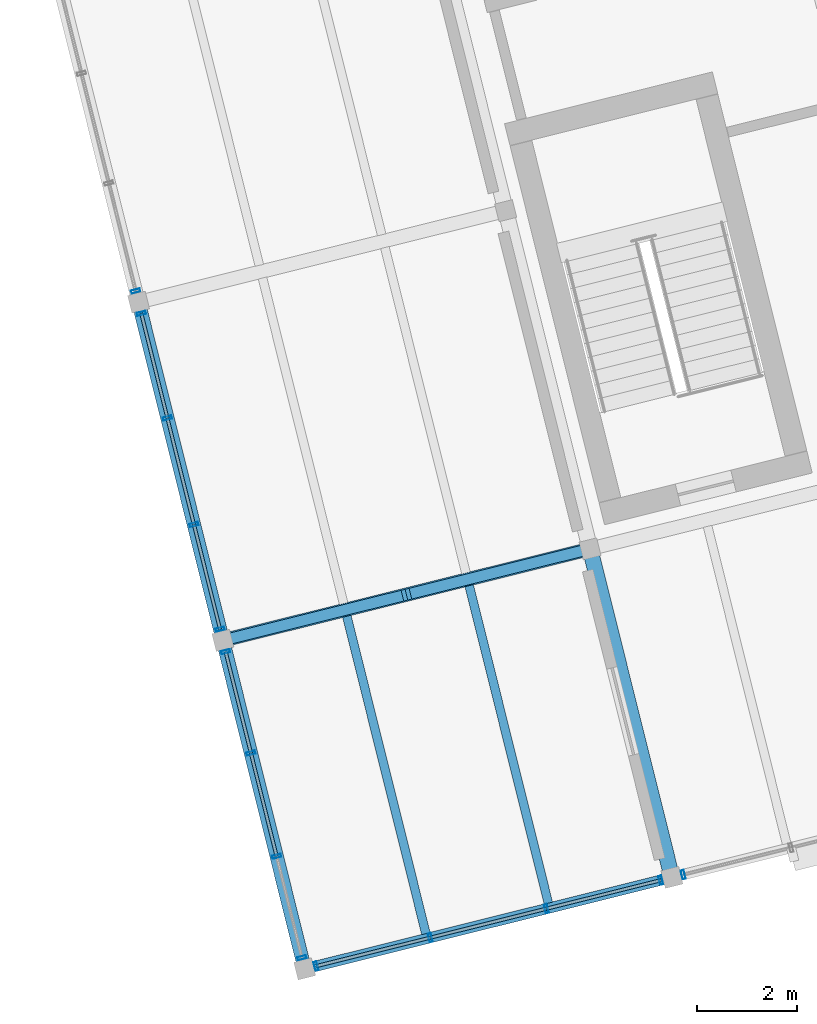
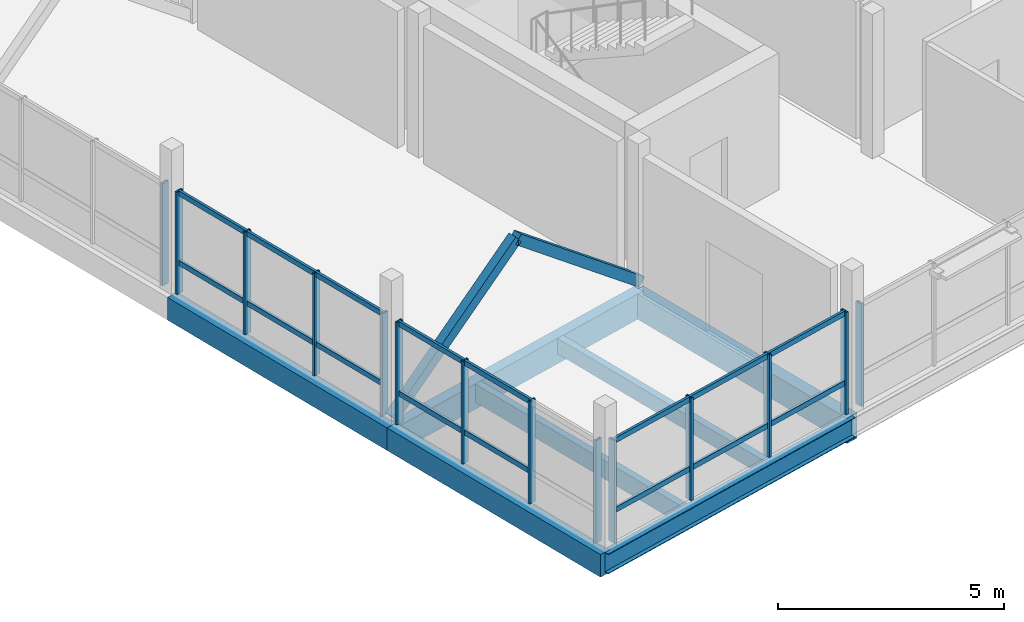
# One storey, part 2 of 26: 32 members, 7 beams, 5 elements without a shape of their own.
"""IFC4 building model written with IfcOpenShell, lengths in metres."""

from ifc_helpers import new_model, si_unit, direction, frame, origin, origin_2d, place, context, subcontext, project, spatial, rectangle, hollow_rectangle, i_section, extrude, material, layer, layer_set, material_profile, profile_set, type_object, element, aggregate, save


model = new_model("IFC4")

# Units and contexts
model_context = context("Model", 3, precision=1e-05, world=origin(), true_north=direction((0.0, 1.0)))
body_context = subcontext(model_context, "Body", "Model", "MODEL_VIEW")
ifc_project = project(units=[si_unit("LENGTHUNIT", "METRE"), si_unit("AREAUNIT", "SQUARE_METRE"), si_unit("VOLUMEUNIT", "CUBIC_METRE"), si_unit("PLANEANGLEUNIT", "RADIAN"), si_unit("MASSUNIT", "GRAM", prefix="KILO")], contexts=[model_context])

# Site, building, storey
site_placement = place(None, origin())
site = spatial("IfcSite", under=ifc_project, at=site_placement, CompositionType="ELEMENT")
building_placement = place(site_placement, origin())
building = spatial("IfcBuilding", under=site, at=building_placement, Name="Meriwether Solvik Hall", CompositionType="ELEMENT")
storey_placement = place(building_placement, frame((0.0, 0.0, 41.699951171875)))
storey = spatial("IfcBuildingStorey", under=building, at=storey_placement, Name="L10", CompositionType="ELEMENT", Elevation=41.699951171875)

# Beams
ifc_material_1 = material(Name="Glulam Douglas-Fir 24F-V8 GL28h", Category="wood")
ifc_material_profile_1 = material_profile(ifc_material_1, rectangle(XDim=0.27294921875, YDim=0.610107421875, at=origin_2d()), Name="GLB-273X610")
ifc_profile_set_1 = profile_set([ifc_material_profile_1], Name="Glulam Douglas-Fir 24F-V8 GL28h")
beam_type_1 = type_object("IfcBeamType", Name="BM-GL-273X610", PredefinedType="SPANDREL", material=ifc_profile_set_1)
beam_1_placement = place(storey_placement, frame((68.60009765625, 41.199951171875, -0.48486328125), z_axis=(-0.241944251278, 0.970290152106, 0.0), x_axis=(-0.970290152106, -0.241944251278, 0.0)))
element("IfcBeam", 1, at=beam_1_placement, inside=storey, type_object=beam_type_1, Name="Tower Girder T1:TA-TB (L10)", PredefinedType="SPANDREL", context=body_context, shape_type="SweptSolid", body=[
    extrude(rectangle(XDim=0.27294921875, YDim=0.610107421875, at=origin_2d()), origin(), (0.0, 0.0, 1.0), 6.80029296875),
])
beam_2_placement = place(storey_placement, frame((66.954833984375, 47.798095703125, -0.48486328125), z_axis=(-0.241911879182, 0.970298223594, 0.0), x_axis=(-0.970298223594, -0.241911879182, 0.0)))
element("IfcBeam", 2, at=beam_2_placement, inside=storey, type_object=beam_type_1, Name="Tower Girder T1:TB-TC (L10)", PredefinedType="SPANDREL", context=body_context, shape_type="SweptSolid", body=[
    extrude(rectangle(XDim=0.27294921875, YDim=0.610107421875, at=origin_2d()), origin(), (0.0, 0.0, 1.0), 7.0),
])
ifc_material_2 = material(Name="Glulam Douglas-Fir 24F-V8 GL28h", Category="wood")
ifc_material_profile_2 = material_profile(ifc_material_2, rectangle(XDim=0.27294921875, YDim=0.68505859375, at=origin_2d()), Name="GLB-273X685")
ifc_profile_set_2 = profile_set([ifc_material_profile_2], Name="Glulam Douglas-Fir 24F-V8 GL28h")
beam_type_2 = type_object("IfcBeamType", Name="BM-GL-273X685", PredefinedType="BEAM", material=ifc_profile_set_2)
beam_3_placement = place(storey_placement, frame((66.954833984375, 47.798095703125, -0.5224609375), z_axis=(0.970295366785, 0.241923337436, 0.0), x_axis=(-0.241923337436, 0.970295366785, 0.0)))
element("IfcBeam", 3, at=beam_3_placement, inside=storey, type_object=beam_type_2, Name="Tower Girder TB:T1-T2 (L10)", PredefinedType="BEAM", context=body_context, shape_type="SweptSolid", body=[
    extrude(rectangle(XDim=0.27294921875, YDim=0.68505859375, at=origin_2d()), origin(), (0.0, 0.0, 1.0), 7.60009765625),
])
ifc_material_3 = material(Name="Glulam Douglas-Fir 24F-V8 GL28h", Category="wood")
ifc_material_profile_3 = material_profile(ifc_material_3, rectangle(XDim=0.31494140625, YDim=0.68505859375, at=origin_2d()), Name="GLB-315X685")
ifc_profile_set_3 = profile_set([ifc_material_profile_3], Name="Glulam Douglas-Fir 24F-V8 GL28h")
beam_type_3 = type_object("IfcBeamType", Name="BM-GL-315X685", PredefinedType="BEAM", material=ifc_profile_set_3)
beam_4_placement = place(storey_placement, frame((75.974365234375, 43.03857421875, -0.5224609375), z_axis=(-0.241944251278, 0.970290152106, 0.0), x_axis=(-0.970290152106, -0.241944251278, 0.0)))
element("IfcBeam", 4, at=beam_4_placement, inside=storey, type_object=beam_type_3, Name="Tower Girder T2:TA-TB (L10)", PredefinedType="BEAM", context=body_context, shape_type="SweptSolid", body=[
    extrude(rectangle(XDim=0.31494140625, YDim=0.68505859375, at=origin_2d()), origin(), (0.0, 0.0, 1.0), 6.80029296875),
])
ifc_material_4 = material(Name="Steel A992 Grade 50", Category="steel")
ifc_material_profile_4 = material_profile(ifc_material_4, i_section(OverallWidth=0.2099609375, OverallDepth=0.537109375, WebThickness=0.010986328125, FlangeThickness=0.017333984375, at=origin_2d()), Name="W21X68")
ifc_profile_set_4 = profile_set([ifc_material_profile_4], Name="Steel A992 Grade 50")
beam_type_4 = type_object("IfcBeamType", Name="BM-STL-W21X68", PredefinedType="SPANDREL", material=ifc_profile_set_4)
beam_5_placement = place(storey_placement, frame((68.60009765625, 41.199951171875, -0.448486328125), z_axis=(0.970295366785, 0.241923337436, 0.0), x_axis=(-0.241923337436, 0.970295366785, 0.0)))
element("IfcBeam", 5, at=beam_5_placement, inside=storey, type_object=beam_type_4, Name="Tower Girder TA:T1-T2 (L10)", PredefinedType="SPANDREL", context=body_context, shape_type="SweptSolid", body=[
    extrude(i_section(OverallWidth=0.2099609375, OverallDepth=0.537109375, WebThickness=0.010986328125, FlangeThickness=0.017333984375, at=origin_2d()), origin(), (0.0, 0.0, 1.0), 7.60009765625),
])

# Curtain wall, members
ifc_material_5 = material(Name="Thermally Broken Anodised Aluminium 6063-T6 and Low-E Glass", Category="aluminium")
ifc_layer_1 = layer(ifc_material_5, 0.179931640625)
ifc_layer_set_1 = layer_set([ifc_layer_1], Name="Thermally Broken Anodised Aluminium 6063-T6 and Low-E Glass")
curtain_wall_type_1 = type_object("IfcCurtainWallType", Name="CW-UNIT-A", PredefinedType="USERDEFINED", material=ifc_layer_set_1)
curtain_wall_1_placement = place(storey_placement, origin())
curtain_wall_1 = element("IfcCurtainWall", 6, at=curtain_wall_1_placement, inside=storey, type_object=curtain_wall_type_1, Name="Curtain Wall E0_B0 (L10)", ObjectType="UNITISED CURTAIN WALL", PredefinedType="USERDEFINED")
ifc_material_6 = material(Name="Anodised Aluminium 6063-T6", Category="aluminium")
ifc_material_profile_5 = material_profile(ifc_material_6, hollow_rectangle(XDim=0.06494140625, YDim=0.179931640625, WallThickness=0.00439453125, at=origin_2d()), Name="CWM-65X180")
ifc_profile_set_5 = profile_set([ifc_material_profile_5], Name="Anodised Aluminium 6063-T6")
member_type_1 = type_object("IfcMemberType", Name="CW-MUL-65X180", PredefinedType="MULLION", material=ifc_profile_set_5)
member_1_placement = place(storey_placement, frame((75.74853515625, 42.982421875, 0.0), z_axis=(0.0, 0.0, 1.0), x_axis=(-0.970295715501, -0.241921938817, 0.0)))
member_1 = element("IfcMember", 7, at=member_1_placement, type_object=member_type_1, Name="Curtain Wall Mullion 1", PredefinedType="MULLION", context=body_context, shape_type="SweptSolid", body=[
    extrude(hollow_rectangle(XDim=0.06494140625, YDim=0.179931640625, WallThickness=0.00439453125, at=origin_2d()), origin(), (0.0, 0.0, 1.0), 2.77001953125),
])
member_2_placement = place(storey_placement, frame((73.453369140625, 42.41015625, 0.0), z_axis=(0.0, 0.0, 1.0), x_axis=(-0.970295715501, -0.241921938817, 0.0)))
member_2 = element("IfcMember", 8, at=member_2_placement, type_object=member_type_1, Name="Curtain Wall Mullion 2", PredefinedType="MULLION", context=body_context, shape_type="SweptSolid", body=[
    extrude(hollow_rectangle(XDim=0.06494140625, YDim=0.179931640625, WallThickness=0.00439453125, at=origin_2d()), origin(), (0.0, 0.0, 1.0), 2.77001953125),
])
member_3_placement = place(storey_placement, frame((71.12109375, 41.82861328125, 0.0), z_axis=(0.0, 0.0, 1.0), x_axis=(-0.970295715501, -0.241921938817, 0.0)))
member_3 = element("IfcMember", 9, at=member_3_placement, type_object=member_type_1, Name="Curtain Wall Mullion 3", PredefinedType="MULLION", context=body_context, shape_type="SweptSolid", body=[
    extrude(hollow_rectangle(XDim=0.06494140625, YDim=0.179931640625, WallThickness=0.00439453125, at=origin_2d()), origin(), (0.0, 0.0, 1.0), 2.77001953125),
])
member_4_placement = place(storey_placement, frame((68.82568359375, 41.25634765625, 0.0), z_axis=(0.0, 0.0, 1.0), x_axis=(-0.970295715501, -0.241921938817, 0.0)))
member_4 = element("IfcMember", 10, at=member_4_placement, type_object=member_type_1, Name="Curtain Wall Mullion 4", PredefinedType="MULLION", context=body_context, shape_type="SweptSolid", body=[
    extrude(hollow_rectangle(XDim=0.06494140625, YDim=0.179931640625, WallThickness=0.00439453125, at=origin_2d()), origin(), (0.0, 0.0, 1.0), 2.77001953125),
])

# Curtain wall, member
ifc_material_7 = material(Name="Thermally Broken Anodised Aluminium 6063-T6 and Low-E Glass", Category="aluminium")
ifc_layer_2 = layer(ifc_material_7, 0.179931640625)
ifc_layer_set_2 = layer_set([ifc_layer_2], Name="Thermally Broken Anodised Aluminium 6063-T6 and Low-E Glass")
curtain_wall_type_2 = type_object("IfcCurtainWallType", Name="CW-UNIT-B", PredefinedType="USERDEFINED", material=ifc_layer_set_2)
curtain_wall_2_placement = place(storey_placement, origin())
curtain_wall_2 = element("IfcCurtainWall", 11, at=curtain_wall_2_placement, inside=storey, type_object=curtain_wall_type_2, Name="Curtain Wall E0_B1 (L10)", ObjectType="UNITISED CURTAIN WALL", PredefinedType="USERDEFINED")
member_5_placement = place(storey_placement, frame((76.199951171875, 43.094970703125, 0.0), z_axis=(0.0, 0.0, 1.0), x_axis=(-0.970295725693, -0.241921897937, 0.0)))
member_5 = element("IfcMember", 12, at=member_5_placement, type_object=member_type_1, Name="Curtain Wall Mullion 4", PredefinedType="MULLION", context=body_context, shape_type="SweptSolid", body=[
    extrude(hollow_rectangle(XDim=0.06494140625, YDim=0.179931640625, WallThickness=0.00439453125, at=origin_2d()), origin(), (0.0, 0.0, 1.0), 2.77001953125),
])
aggregate(curtain_wall_2, [member_5])

# Curtain wall, members
curtain_wall_3_placement = place(storey_placement, origin())
curtain_wall_3 = element("IfcCurtainWall", 13, at=curtain_wall_3_placement, inside=storey, type_object=curtain_wall_type_1, Name="Curtain Wall E7_B0 (L10)", ObjectType="UNITISED CURTAIN WALL", PredefinedType="USERDEFINED")
member_6_placement = place(storey_placement, frame((68.543701171875, 41.425537109375, 0.0), z_axis=(0.0, 0.0, 1.0), x_axis=(-0.241921888555, 0.970295728032, 0.0)))
member_6 = element("IfcMember", 14, at=member_6_placement, type_object=member_type_1, Name="Curtain Wall Mullion 1", PredefinedType="MULLION", context=body_context, shape_type="SweptSolid", body=[
    extrude(hollow_rectangle(XDim=0.06494140625, YDim=0.179931640625, WallThickness=0.00439453125, at=origin_2d()), origin(), (0.0, 0.0, 1.0), 2.77001953125),
])
member_7_placement = place(storey_placement, frame((68.035888671875, 43.462158203125, 0.0), z_axis=(0.0, 0.0, 1.0), x_axis=(-0.241921888555, 0.970295728032, 0.0)))
member_7 = element("IfcMember", 15, at=member_7_placement, type_object=member_type_1, Name="Curtain Wall Mullion 2", PredefinedType="MULLION", context=body_context, shape_type="SweptSolid", body=[
    extrude(hollow_rectangle(XDim=0.06494140625, YDim=0.179931640625, WallThickness=0.00439453125, at=origin_2d()), origin(), (0.0, 0.0, 1.0), 2.77001953125),
])
member_8_placement = place(storey_placement, frame((67.51904296875, 45.535888671875, 0.0), z_axis=(0.0, 0.0, 1.0), x_axis=(-0.241921888555, 0.970295728032, 0.0)))
member_8 = element("IfcMember", 16, at=member_8_placement, type_object=member_type_1, Name="Curtain Wall Mullion 3", PredefinedType="MULLION", context=body_context, shape_type="SweptSolid", body=[
    extrude(hollow_rectangle(XDim=0.06494140625, YDim=0.179931640625, WallThickness=0.00439453125, at=origin_2d()), origin(), (0.0, 0.0, 1.0), 2.77001953125),
])
member_9_placement = place(storey_placement, frame((67.01123046875, 47.572509765625, 0.0), z_axis=(0.0, 0.0, 1.0), x_axis=(-0.241921888555, 0.970295728032, 0.0)))
member_9 = element("IfcMember", 17, at=member_9_placement, type_object=member_type_1, Name="Curtain Wall Mullion 4", PredefinedType="MULLION", context=body_context, shape_type="SweptSolid", body=[
    extrude(hollow_rectangle(XDim=0.06494140625, YDim=0.179931640625, WallThickness=0.00439453125, at=origin_2d()), origin(), (0.0, 0.0, 1.0), 2.77001953125),
])

curtain_wall_4_placement = place(storey_placement, origin())
curtain_wall_4 = element("IfcCurtainWall", 18, at=curtain_wall_4_placement, inside=storey, type_object=curtain_wall_type_2, Name="Curtain Wall E7_B1 (L10)", ObjectType="UNITISED CURTAIN WALL", PredefinedType="USERDEFINED")
member_10_placement = place(storey_placement, frame((66.898681640625, 48.023681640625, 0.0), z_axis=(0.0, 0.0, 1.0), x_axis=(-0.24192176891, 0.970295757863, 0.0)))
member_10 = element("IfcMember", 19, at=member_10_placement, type_object=member_type_1, Name="Curtain Wall Mullion 1", PredefinedType="MULLION", context=body_context, shape_type="SweptSolid", body=[
    extrude(hollow_rectangle(XDim=0.06494140625, YDim=0.179931640625, WallThickness=0.00439453125, at=origin_2d()), origin(), (0.0, 0.0, 1.0), 2.77001953125),
])
member_11_placement = place(storey_placement, frame((66.374755859375, 50.125, 0.0), z_axis=(0.0, 0.0, 1.0), x_axis=(-0.24192176891, 0.970295757863, 0.0)))
member_11 = element("IfcMember", 20, at=member_11_placement, type_object=member_type_1, Name="Curtain Wall Mullion 2", PredefinedType="MULLION", context=body_context, shape_type="SweptSolid", body=[
    extrude(hollow_rectangle(XDim=0.06494140625, YDim=0.179931640625, WallThickness=0.00439453125, at=origin_2d()), origin(), (0.0, 0.0, 1.0), 2.77001953125),
])
member_12_placement = place(storey_placement, frame((65.841552734375, 52.26318359375, 0.0), z_axis=(0.0, 0.0, 1.0), x_axis=(-0.24192176891, 0.970295757863, 0.0)))
member_12 = element("IfcMember", 21, at=member_12_placement, type_object=member_type_1, Name="Curtain Wall Mullion 3", PredefinedType="MULLION", context=body_context, shape_type="SweptSolid", body=[
    extrude(hollow_rectangle(XDim=0.06494140625, YDim=0.179931640625, WallThickness=0.00439453125, at=origin_2d()), origin(), (0.0, 0.0, 1.0), 2.77001953125),
])
member_13_placement = place(storey_placement, frame((65.317626953125, 54.364501953125, 0.0), z_axis=(0.0, 0.0, 1.0), x_axis=(-0.24192176891, 0.970295757863, 0.0)))
member_13 = element("IfcMember", 22, at=member_13_placement, type_object=member_type_1, Name="Curtain Wall Mullion 4", PredefinedType="MULLION", context=body_context, shape_type="SweptSolid", body=[
    extrude(hollow_rectangle(XDim=0.06494140625, YDim=0.179931640625, WallThickness=0.00439453125, at=origin_2d()), origin(), (0.0, 0.0, 1.0), 2.77001953125),
])

# Curtain wall, member
ifc_material_8 = material(Name="Thermally Broken Anodised Aluminium 6063-T6 and Low-E Glass", Category="aluminium")
ifc_layer_3 = layer(ifc_material_8, 0.179931640625)
ifc_layer_set_3 = layer_set([ifc_layer_3], Name="Thermally Broken Anodised Aluminium 6063-T6 and Low-E Glass")
curtain_wall_type_3 = type_object("IfcCurtainWallType", Name="CW-UNIT-C", PredefinedType="USERDEFINED", material=ifc_layer_set_3)
curtain_wall_5_placement = place(storey_placement, origin())
curtain_wall_5 = element("IfcCurtainWall", 23, at=curtain_wall_5_placement, inside=storey, type_object=curtain_wall_type_3, Name="Curtain Wall E7_B2 (L10)", ObjectType="UNITISED CURTAIN WALL", PredefinedType="USERDEFINED")
member_14_placement = place(storey_placement, frame((65.205322265625, 54.815673828125, 0.0), z_axis=(0.0, 0.0, 1.0), x_axis=(-0.241921897937, 0.970295725693, 0.0)))
member_14 = element("IfcMember", 24, at=member_14_placement, type_object=member_type_1, Name="Curtain Wall Mullion 1", PredefinedType="MULLION", context=body_context, shape_type="SweptSolid", body=[
    extrude(hollow_rectangle(XDim=0.06494140625, YDim=0.179931640625, WallThickness=0.00439453125, at=origin_2d()), origin(), (0.0, 0.0, 1.0), 2.77001953125),
])
aggregate(curtain_wall_5, [member_14])

# Member
ifc_material_9 = material(Name="Anodised Aluminium 6063-T6", Category="aluminium")
ifc_material_profile_6 = material_profile(ifc_material_9, hollow_rectangle(XDim=0.06494140625, YDim=0.139892578125, WallThickness=0.00439453125, at=origin_2d()), Name="CWT-65X140")
ifc_profile_set_6 = profile_set([ifc_material_profile_6], Name="Anodised Aluminium 6063-T6")
member_type_2 = type_object("IfcMemberType", Name="CW-TRN-65X140", PredefinedType="USERDEFINED", material=ifc_profile_set_6)
member_15_placement = place(storey_placement, frame((75.74853515625, 42.982421875, 0.8310546875), z_axis=(-0.970294092223, -0.241928449332, 0.0), x_axis=(0.241928449332, -0.970294092223, 0.0)))
member_15 = element("IfcMember", 25, at=member_15_placement, type_object=member_type_2, Name="Curtain Wall Transom 1-sill", ObjectType="TRANSOM", PredefinedType="USERDEFINED", context=body_context, shape_type="SweptSolid", body=[
    extrude(hollow_rectangle(XDim=0.06494140625, YDim=0.139892578125, WallThickness=0.00439453125, at=origin_2d()), origin(), (0.0, 0.0, 1.0), 2.365478515625),
])

member_16_placement = place(storey_placement, frame((75.74853515625, 42.982421875, 2.7099609375), z_axis=(-0.970294092223, -0.241928449332, 0.0), x_axis=(0.241928449332, -0.970294092223, 0.0)))
member_16 = element("IfcMember", 26, at=member_16_placement, type_object=member_type_2, Name="Curtain Wall Transom 1-head", ObjectType="TRANSOM", PredefinedType="USERDEFINED", context=body_context, shape_type="SweptSolid", body=[
    extrude(hollow_rectangle(XDim=0.06494140625, YDim=0.139892578125, WallThickness=0.00439453125, at=origin_2d()), origin(), (0.0, 0.0, 1.0), 2.365478515625),
])

member_17_placement = place(storey_placement, frame((73.453369140625, 42.41015625, 0.8310546875), z_axis=(-0.970291682811, -0.241938112473, 0.0), x_axis=(0.241938112473, -0.970291682811, 0.0)))
member_17 = element("IfcMember", 27, at=member_17_placement, type_object=member_type_2, Name="Curtain Wall Transom 2-sill", ObjectType="TRANSOM", PredefinedType="USERDEFINED", context=body_context, shape_type="SweptSolid", body=[
    extrude(hollow_rectangle(XDim=0.06494140625, YDim=0.139892578125, WallThickness=0.00439453125, at=origin_2d()), origin(), (0.0, 0.0, 1.0), 2.403564453125),
])

member_18_placement = place(storey_placement, frame((73.453369140625, 42.41015625, 2.7099609375), z_axis=(-0.970291682811, -0.241938112473, 0.0), x_axis=(0.241938112473, -0.970291682811, 0.0)))
member_18 = element("IfcMember", 28, at=member_18_placement, type_object=member_type_2, Name="Curtain Wall Transom 2-head", ObjectType="TRANSOM", PredefinedType="USERDEFINED", context=body_context, shape_type="SweptSolid", body=[
    extrude(hollow_rectangle(XDim=0.06494140625, YDim=0.139892578125, WallThickness=0.00439453125, at=origin_2d()), origin(), (0.0, 0.0, 1.0), 2.403564453125),
])

member_19_placement = place(storey_placement, frame((71.12109375, 41.82861328125, 0.8310546875), z_axis=(-0.970300132238, -0.241904223566, 0.0), x_axis=(0.241904223566, -0.970300132238, 0.0)))
member_19 = element("IfcMember", 29, at=member_19_placement, type_object=member_type_2, Name="Curtain Wall Transom 3-sill", ObjectType="TRANSOM", PredefinedType="USERDEFINED", context=body_context, shape_type="SweptSolid", body=[
    extrude(hollow_rectangle(XDim=0.06494140625, YDim=0.139892578125, WallThickness=0.00439453125, at=origin_2d()), origin(), (0.0, 0.0, 1.0), 2.36572265625),
])

member_20_placement = place(storey_placement, frame((71.12109375, 41.82861328125, 2.7099609375), z_axis=(-0.970300132238, -0.241904223566, 0.0), x_axis=(0.241904223566, -0.970300132238, 0.0)))
member_20 = element("IfcMember", 30, at=member_20_placement, type_object=member_type_2, Name="Curtain Wall Transom 3-head", ObjectType="TRANSOM", PredefinedType="USERDEFINED", context=body_context, shape_type="SweptSolid", body=[
    extrude(hollow_rectangle(XDim=0.06494140625, YDim=0.139892578125, WallThickness=0.00439453125, at=origin_2d()), origin(), (0.0, 0.0, 1.0), 2.36572265625),
])

aggregate(curtain_wall_1, [member_1, member_2, member_3, member_4, member_15, member_16, member_17, member_18, member_19, member_20])

member_21_placement = place(storey_placement, frame((68.035888671875, 43.462158203125, 0.8310546875), z_axis=(-0.241836709188, 0.970316961662, 0.0), x_axis=(-0.970316961662, -0.241836709188, 0.0)))
member_21 = element("IfcMember", 31, at=member_21_placement, type_object=member_type_2, Name="Curtain Wall Transom 2-sill", ObjectType="TRANSOM", PredefinedType="USERDEFINED", context=body_context, shape_type="SweptSolid", body=[
    extrude(hollow_rectangle(XDim=0.06494140625, YDim=0.139892578125, WallThickness=0.00439453125, at=origin_2d()), origin(), (0.0, 0.0, 1.0), 2.13720703125),
])

member_22_placement = place(storey_placement, frame((68.035888671875, 43.462158203125, 2.7099609375), z_axis=(-0.241836709188, 0.970316961662, 0.0), x_axis=(-0.970316961662, -0.241836709188, 0.0)))
member_22 = element("IfcMember", 32, at=member_22_placement, type_object=member_type_2, Name="Curtain Wall Transom 2-head", ObjectType="TRANSOM", PredefinedType="USERDEFINED", context=body_context, shape_type="SweptSolid", body=[
    extrude(hollow_rectangle(XDim=0.06494140625, YDim=0.139892578125, WallThickness=0.00439453125, at=origin_2d()), origin(), (0.0, 0.0, 1.0), 2.13720703125),
])

member_23_placement = place(storey_placement, frame((67.51904296875, 45.535888671875, 0.8310546875), z_axis=(-0.241933481427, 0.970292837531, 0.0), x_axis=(-0.970292837531, -0.241933481427, 0.0)))
member_23 = element("IfcMember", 33, at=member_23_placement, type_object=member_type_2, Name="Curtain Wall Transom 3-sill", ObjectType="TRANSOM", PredefinedType="USERDEFINED", context=body_context, shape_type="SweptSolid", body=[
    extrude(hollow_rectangle(XDim=0.06494140625, YDim=0.139892578125, WallThickness=0.00439453125, at=origin_2d()), origin(), (0.0, 0.0, 1.0), 2.098876953125),
])

member_24_placement = place(storey_placement, frame((67.51904296875, 45.535888671875, 2.7099609375), z_axis=(-0.241933481427, 0.970292837531, 0.0), x_axis=(-0.970292837531, -0.241933481427, 0.0)))
member_24 = element("IfcMember", 34, at=member_24_placement, type_object=member_type_2, Name="Curtain Wall Transom 3-head", ObjectType="TRANSOM", PredefinedType="USERDEFINED", context=body_context, shape_type="SweptSolid", body=[
    extrude(hollow_rectangle(XDim=0.06494140625, YDim=0.139892578125, WallThickness=0.00439453125, at=origin_2d()), origin(), (0.0, 0.0, 1.0), 2.098876953125),
])

aggregate(curtain_wall_3, [member_6, member_7, member_8, member_9, member_21, member_22, member_23, member_24])

member_25_placement = place(storey_placement, frame((66.898681640625, 48.023681640625, 0.8310546875), z_axis=(-0.241925491414, 0.970294829732, 0.0), x_axis=(-0.970294829732, -0.241925491414, 0.0)))
member_25 = element("IfcMember", 35, at=member_25_placement, type_object=member_type_2, Name="Curtain Wall Transom 1-sill", ObjectType="TRANSOM", PredefinedType="USERDEFINED", context=body_context, shape_type="SweptSolid", body=[
    extrude(hollow_rectangle(XDim=0.06494140625, YDim=0.139892578125, WallThickness=0.00439453125, at=origin_2d()), origin(), (0.0, 0.0, 1.0), 2.16552734375),
])

member_26_placement = place(storey_placement, frame((66.898681640625, 48.023681640625, 2.7099609375), z_axis=(-0.241925491414, 0.970294829732, 0.0), x_axis=(-0.970294829732, -0.241925491414, 0.0)))
member_26 = element("IfcMember", 36, at=member_26_placement, type_object=member_type_2, Name="Curtain Wall Transom 1-head", ObjectType="TRANSOM", PredefinedType="USERDEFINED", context=body_context, shape_type="SweptSolid", body=[
    extrude(hollow_rectangle(XDim=0.06494140625, YDim=0.139892578125, WallThickness=0.00439453125, at=origin_2d()), origin(), (0.0, 0.0, 1.0), 2.16552734375),
])

member_27_placement = place(storey_placement, frame((66.374755859375, 50.125, 0.8310546875), z_axis=(-0.241962089235, 0.970285703993, 0.0), x_axis=(-0.970285703993, -0.241962089235, 0.0)))
member_27 = element("IfcMember", 37, at=member_27_placement, type_object=member_type_2, Name="Curtain Wall Transom 2-sill", ObjectType="TRANSOM", PredefinedType="USERDEFINED", context=body_context, shape_type="SweptSolid", body=[
    extrude(hollow_rectangle(XDim=0.06494140625, YDim=0.139892578125, WallThickness=0.00439453125, at=origin_2d()), origin(), (0.0, 0.0, 1.0), 2.20361328125),
])

member_28_placement = place(storey_placement, frame((66.374755859375, 50.125, 2.7099609375), z_axis=(-0.241962089235, 0.970285703993, 0.0), x_axis=(-0.970285703993, -0.241962089235, 0.0)))
member_28 = element("IfcMember", 38, at=member_28_placement, type_object=member_type_2, Name="Curtain Wall Transom 2-head", ObjectType="TRANSOM", PredefinedType="USERDEFINED", context=body_context, shape_type="SweptSolid", body=[
    extrude(hollow_rectangle(XDim=0.06494140625, YDim=0.139892578125, WallThickness=0.00439453125, at=origin_2d()), origin(), (0.0, 0.0, 1.0), 2.20361328125),
])

member_29_placement = place(storey_placement, frame((65.841552734375, 52.26318359375, 0.8310546875), z_axis=(-0.241925491414, 0.970294829732, 0.0), x_axis=(-0.970294829732, -0.241925491414, 0.0)))
member_29 = element("IfcMember", 39, at=member_29_placement, type_object=member_type_2, Name="Curtain Wall Transom 3-sill", ObjectType="TRANSOM", PredefinedType="USERDEFINED", context=body_context, shape_type="SweptSolid", body=[
    extrude(hollow_rectangle(XDim=0.06494140625, YDim=0.139892578125, WallThickness=0.00439453125, at=origin_2d()), origin(), (0.0, 0.0, 1.0), 2.16552734375),
])

member_30_placement = place(storey_placement, frame((65.841552734375, 52.26318359375, 2.7099609375), z_axis=(-0.241925491414, 0.970294829732, 0.0), x_axis=(-0.970294829732, -0.241925491414, 0.0)))
member_30 = element("IfcMember", 40, at=member_30_placement, type_object=member_type_2, Name="Curtain Wall Transom 3-head", ObjectType="TRANSOM", PredefinedType="USERDEFINED", context=body_context, shape_type="SweptSolid", body=[
    extrude(hollow_rectangle(XDim=0.06494140625, YDim=0.139892578125, WallThickness=0.00439453125, at=origin_2d()), origin(), (0.0, 0.0, 1.0), 2.16552734375),
])

aggregate(curtain_wall_4, [member_10, member_11, member_12, member_13, member_25, member_26, member_27, member_28, member_29, member_30])

# Beams
ifc_material_10 = material(Name="Glulam Douglas-Fir 24F-V8 GL28h", Category="wood")
ifc_material_profile_7 = material_profile(ifc_material_10, rectangle(XDim=0.175048828125, YDim=0.419921875, at=origin_2d()), Name="GLJ-175X420")
ifc_profile_set_7 = profile_set([ifc_material_profile_7], Name="Glulam Douglas-Fir 24F-V8 GL28h")
beam_type_5 = type_object("IfcBeamType", Name="JST-GL-175X420", PredefinedType="JOIST", material=ifc_profile_set_7)
beam_6_placement = place(storey_placement, frame((73.491943359375, 42.522705078125, -0.389892578125), z_axis=(-0.241923405787, 0.970295349743, 0.0), x_axis=(-0.970295349743, -0.241923405787, 0.0)))
element("IfcBeam", 41, at=beam_6_placement, inside=storey, type_object=beam_type_5, Name="Glulam Floor Joist T1/TA-J2 (L10)", PredefinedType="JOIST", context=body_context, shape_type="SweptSolid", body=[
    extrude(rectangle(XDim=0.175048828125, YDim=0.419921875, at=origin_2d()), origin(), (0.0, 0.0, 1.0), 6.568603515625),
])
ifc_material_11 = material(Name="Glulam Douglas-Fir 24F-V8 GL28h", Category="wood")
ifc_material_profile_8 = material_profile(ifc_material_11, rectangle(XDim=0.175048828125, YDim=0.4951171875, at=origin_2d()), Name="GLJ-175X495")
ifc_profile_set_8 = profile_set([ifc_material_profile_8], Name="Glulam Douglas-Fir 24F-V8 GL28h")
beam_type_6 = type_object("IfcBeamType", Name="JST-GL-175X495", PredefinedType="JOIST", material=ifc_profile_set_8)
beam_7_placement = place(storey_placement, frame((71.033935546875, 41.909912109375, -0.427490234375), z_axis=(-0.24193213069, 0.970293174324, 0.0), x_axis=(-0.970293174324, -0.24193213069, 0.0)))
element("IfcBeam", 42, at=beam_7_placement, inside=storey, type_object=beam_type_6, Name="Glulam Floor Joist T1/TA-J1 (L10)", PredefinedType="JOIST", context=body_context, shape_type="SweptSolid", body=[
    extrude(rectangle(XDim=0.175048828125, YDim=0.4951171875, at=origin_2d()), origin(), (0.0, 0.0, 1.0), 6.568359375),
])

# Members
ifc_material_12 = material(Name="Glulam Douglas-Fir 24F-V8 GL28h", Category="wood")
ifc_material_profile_9 = material_profile(ifc_material_12, rectangle(XDim=0.221923828125, YDim=0.26708984375, at=origin_2d()), Name="GLM-222X267")
ifc_profile_set_9 = profile_set([ifc_material_profile_9], Name="Glulam Douglas-Fir 24F-V8 GL28h")
member_type_3 = type_object("IfcMemberType", Name="MEM-BR-GL222", PredefinedType="BRACE", material=ifc_profile_set_9)
for number, where, z_axis, x_axis, name in (
    (43, (66.954833984375, 47.798095703125, 0.050048828125), (0.76110738578, 0.189735106102, 0.620254896655), (-0.241885553952, 0.970304786544, 0.0), "Tower Chevron Brace L10-B1A"),
    (44, (74.3291015625, 49.63671875, 0.050048828125), (-0.761078904212, -0.189790964989, 0.620272755465), (0.241961122321, -0.970285945114, 0.0), "Tower Chevron Brace L10-B1B"),
):
    element("IfcMember", number, at=place(storey_placement, frame(where, z_axis=z_axis, x_axis=x_axis)), inside=storey, type_object=member_type_3, Name=name, PredefinedType="BRACE", context=body_context, shape_type="SweptSolid", body=[
        extrude(rectangle(XDim=0.221923828125, YDim=0.26708984375, at=origin_2d()), origin(), (0.0, 0.0, 1.0), 4.844482421875),
    ])

save(model, "model.ifc")
